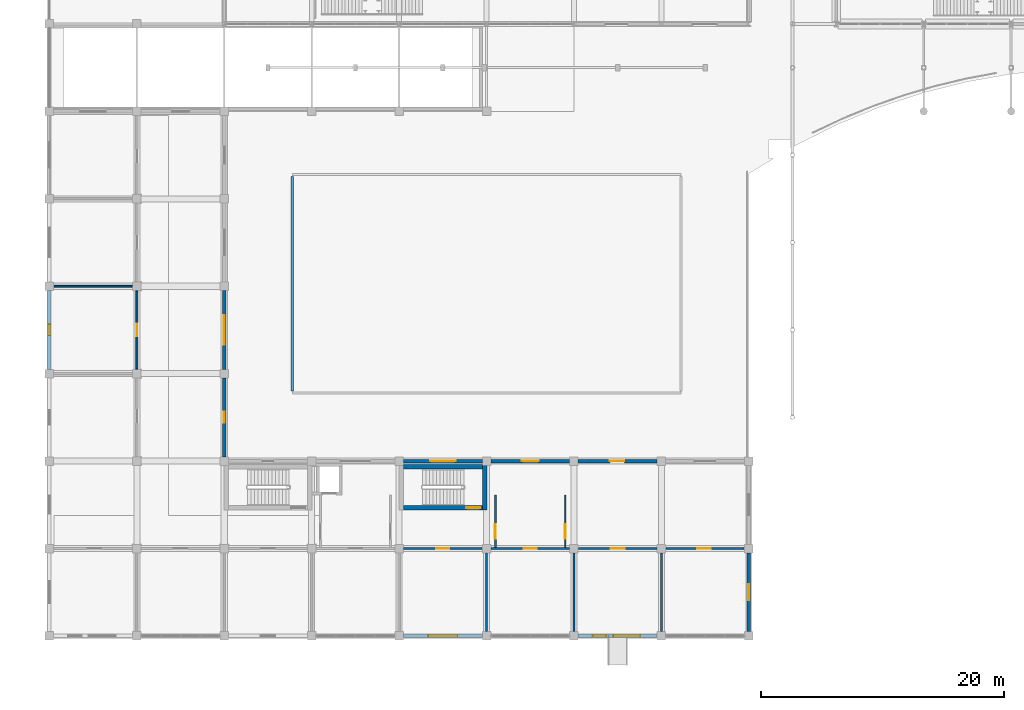
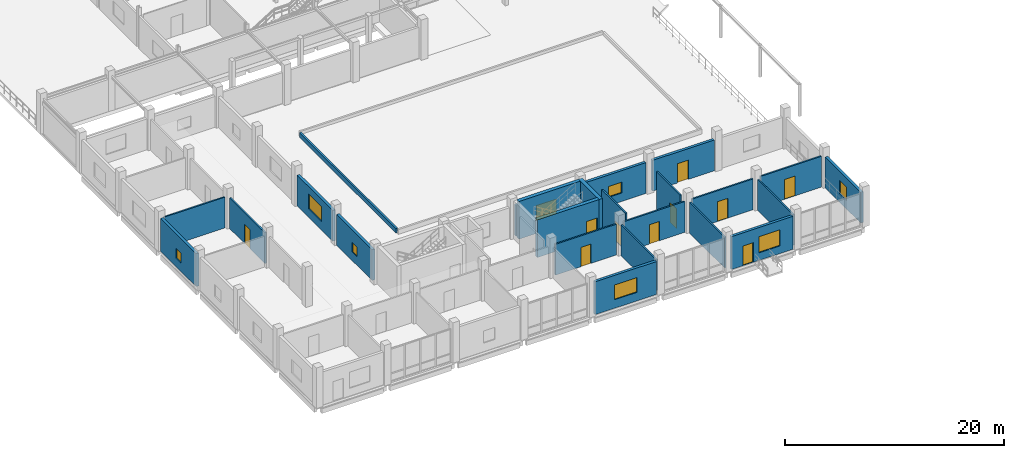
# One storey, part 111 of 139: 24 walls, 10 doors, 8 windows, 18 openings.
"""IFC4 building model written with IfcOpenShell, lengths in metres."""

import ifcopenshell
import ifcopenshell.guid

model = None  # the IFC model being written
_history = None  # IfcOwnerHistory: only IFC2X3 demands one
_inside = {}  # id of a spatial element -> (the spatial element, [elements in it])
_under = {}  # id of a project, library or spatial element -> (it, [spatial elements below it])
_declared = {}  # id of a project -> (the project, [libraries it declares])
_typed = {}  # id of a type object -> (the type object, [elements of that type])
_made_of = {}  # id of a material, layer set ... -> (it, [elements and type objects made of it])


def new_model(schema):
    """Start an empty IFC model of exactly this schema.

    Asked for "IFC4X3", IfcOpenShell would pick the latest addendum, in which some entities
    have other attributes; the version numbers below select the first issue.
    IFC2X3 requires an IfcOwnerHistory on every rooted entity: one is made here for all.
    """
    global model, _history
    if schema == "IFC4X3":
        model = ifcopenshell.file(schema_version=(4, 3, 0, 0))
    else:
        model = ifcopenshell.file(schema=schema)
    _inside.clear()
    _under.clear()
    _declared.clear()
    _typed.clear()
    _made_of.clear()
    _history = None
    if model.schema == "IFC2X3":
        org = make("IfcOrganization", Name="unknown")
        user = make(
            "IfcPersonAndOrganization",
            ThePerson=make("IfcPerson", FamilyName="unknown"),
            TheOrganization=org,
        )
        app = make(
            "IfcApplication",
            ApplicationDeveloper=org,
            Version="unknown",
            ApplicationFullName="unknown",
            ApplicationIdentifier="unknown",
        )
        _history = make(
            "IfcOwnerHistory",
            OwningUser=user,
            OwningApplication=app,
            ChangeAction="ADDED",
            CreationDate=0,
        )
    return model


def make(cls, **values):
    """One entity of the class cls with the attributes given. An attribute that is None is left unset."""
    return model.create_entity(
        cls, **{name: value for name, value in values.items() if value is not None}
    )


def rooted(cls, **values):
    """An entity with a GlobalId (a new one), such as an element, a storey or a relation."""
    return make(cls, GlobalId=ifcopenshell.guid.new(), OwnerHistory=_history, **values)


def si_unit(unit_type, name, prefix=None):
    """IfcSIUnit, for example si_unit("LENGTHUNIT", "METRE", prefix="MILLI")."""
    return make("IfcSIUnit", UnitType=unit_type, Prefix=prefix, Name=name)


def assignment(units):
    """IfcUnitAssignment: the units of a project."""
    return None if units is None else make("IfcUnitAssignment", Units=units)


def point(xyz):
    """IfcCartesianPoint."""
    return None if xyz is None else make("IfcCartesianPoint", Coordinates=xyz)


def direction(xyz):
    """IfcDirection."""
    return None if xyz is None else make("IfcDirection", DirectionRatios=xyz)


def frame(location, z_axis=None, x_axis=None):
    """IfcAxis2Placement3D, a coordinate frame: its origin and axes. An axis left out is left unset."""
    return make(
        "IfcAxis2Placement3D",
        Location=point(location),
        Axis=direction(z_axis),
        RefDirection=direction(x_axis),
    )


def frame_2d(location, x_axis=None):
    """IfcAxis2Placement2D, a coordinate frame in the plane: its origin and x axis."""
    return make(
        "IfcAxis2Placement2D", Location=point(location), RefDirection=direction(x_axis)
    )


def origin():
    """The frame at (0, 0, 0) with its axes left unset."""
    return frame((0.0, 0.0, 0.0))


def place(relative_to, where):
    """IfcLocalPlacement: puts the frame where relative to a parent placement (None: the world)."""
    return make(
        "IfcLocalPlacement", PlacementRelTo=relative_to, RelativePlacement=where
    )


def context(
    kind, dimensions, precision=None, world=None, true_north=None, identifier=None
):
    """IfcGeometricRepresentationContext, for example the 3D "Model" context."""
    return make(
        "IfcGeometricRepresentationContext",
        ContextIdentifier=identifier,
        ContextType=kind,
        CoordinateSpaceDimension=dimensions,
        Precision=precision,
        WorldCoordinateSystem=world,
        TrueNorth=true_north,
    )


def subcontext(parent, identifier, kind, view, scale=None):
    """IfcGeometricRepresentationSubContext, for example "Body" below "Model"."""
    return make(
        "IfcGeometricRepresentationSubContext",
        ContextIdentifier=identifier,
        ContextType=kind,
        ParentContext=parent,
        TargetScale=scale,
        TargetView=view,
    )


def project(units=None, contexts=None):
    """IfcProject with its units and contexts."""
    return rooted(
        "IfcProject",
        Name="project",
        RepresentationContexts=contexts,
        UnitsInContext=assignment(units),
    )


def spatial(cls, under=None, at=None, **own):
    """A site, building, storey or space (cls), placed at a placement, below another one or the project."""
    s = rooted(cls, ObjectPlacement=at, **own)
    if under is not None:
        _under.setdefault(under.id(), (under, []))[1].append(s)
    return s


def profile(cls, at=None, kind="AREA", **sizes):
    """A parametric profile (cls). Its sizes go by their IFC names, for example OverallWidth=200.0."""
    return make(cls, ProfileType=kind, Position=at, **sizes)


def rectangle(**sizes):
    """IfcRectangleProfileDef."""
    return profile("IfcRectangleProfileDef", **sizes)


def extrude(swept, where, along, depth):
    """IfcExtrudedAreaSolid: the profile swept, set in the frame where, extruded along a direction by depth."""
    return make(
        "IfcExtrudedAreaSolid",
        SweptArea=swept,
        Position=where,
        ExtrudedDirection=direction(along),
        Depth=depth,
    )


def shape(context_of_items, identifier, shape_type, items):
    """IfcShapeRepresentation: the items that make up one representation, for example the "Body"."""
    return make(
        "IfcShapeRepresentation",
        ContextOfItems=context_of_items,
        RepresentationIdentifier=identifier,
        RepresentationType=shape_type,
        Items=items,
    )


def material(Name=None, Category=None):
    """IfcMaterial."""
    return make("IfcMaterial", Name=Name, Category=Category)


def layer(
    of_material, thickness, ventilated=None, Name=None, Category=None, Priority=None
):
    """IfcMaterialLayer: one layer of a wall or slab, of a material (None: an air gap)."""
    return make(
        "IfcMaterialLayer",
        Material=of_material,
        LayerThickness=thickness,
        IsVentilated=ventilated,
        Name=Name,
        Category=Category,
        Priority=Priority,
    )


def layer_set(layers, Name=None):
    """IfcMaterialLayerSet."""
    return make("IfcMaterialLayerSet", MaterialLayers=layers, LayerSetName=Name)


def made_of(thing, what):
    """Note that an element or type object is made of a material, layer set ...; save() writes the relation."""
    if what is not None:
        _made_of.setdefault(what.id(), (what, []))[1].append(thing)
    return thing


def type_object(cls, material=None, **own):
    """A type object (cls), such as IfcWallType, which elements share."""
    return made_of(rooted(cls, **own), material)


def element(
    cls,
    number,
    at=None,
    inside=None,
    cuts=None,
    type_object=None,
    material=None,
    context=None,
    identifier="Body",
    shape_type=None,
    held_by="IfcProductDefinitionShape",
    body=None,
    shapes=None,
    **own,
):
    """One element of the class cls, such as IfcWall. Its Tag is "e" and its number.

    at: its placement. inside: the storey or other place that contains it. cuts: it is an
    opening in that element (IfcRelVoidsElement). A single representation is given by context,
    identifier, shape_type and body (its items); several are given by shapes. held_by: the class
    of the entity that holds the representations. save() writes the other relations.
    """
    e = rooted(cls, Tag="e%d" % number, ObjectPlacement=at, **own)
    if body is not None:
        shapes = [shape(context, identifier, shape_type, body)]
    if shapes is not None:
        e.Representation = make(held_by, Representations=shapes)
    if inside is not None:
        _inside.setdefault(inside.id(), (inside, []))[1].append(e)
    if cuts is not None:
        rooted(
            "IfcRelVoidsElement", RelatingBuildingElement=cuts, RelatedOpeningElement=e
        )
    if type_object is not None:
        _typed.setdefault(type_object.id(), (type_object, []))[1].append(e)
    return made_of(e, material)


def fill(opening, filler):
    """IfcRelFillsElement: the door or window that sits in an opening."""
    return rooted(
        "IfcRelFillsElement",
        RelatingOpeningElement=opening,
        RelatedBuildingElement=filler,
    )


def aggregate(whole, parts):
    """IfcRelAggregates: a whole, such as a stair, and the parts it consists of."""
    return rooted("IfcRelAggregates", RelatingObject=whole, RelatedObjects=parts)


def save(model, path):
    """Write the relations noted so far, then the file.

    IfcRelAggregates (storeys below a building ...), IfcRelContainedInSpatialStructure (elements
    in a storey), IfcRelDefinesByType, IfcRelAssociatesMaterial and IfcRelDeclares: one each for
    every whole, place, type object, material and project.
    """
    for whole, parts in _under.values():
        aggregate(whole, parts)
    for where, things in _inside.values():
        rooted(
            "IfcRelContainedInSpatialStructure",
            RelatedElements=things,
            RelatingStructure=where,
        )
    for kind, things in _typed.values():
        rooted("IfcRelDefinesByType", RelatedObjects=things, RelatingType=kind)
    for what, things in _made_of.values():
        rooted("IfcRelAssociatesMaterial", RelatedObjects=things, RelatingMaterial=what)
    for by, libraries in _declared.values():
        rooted("IfcRelDeclares", RelatingContext=by, RelatedDefinitions=libraries)
    model.write(path)


model = new_model("IFC4")

# Units and contexts
model_context = context("Model", 3, precision=1e-05, world=origin(), true_north=direction((0.0, 1.0)))
body_context = subcontext(model_context, "Body", "Model", "MODEL_VIEW")
ifc_project = project(units=[si_unit("LENGTHUNIT", "METRE"), si_unit("AREAUNIT", "SQUARE_METRE"), si_unit("VOLUMEUNIT", "CUBIC_METRE"), si_unit("PLANEANGLEUNIT", "RADIAN"), si_unit("MASSUNIT", "GRAM", prefix="KILO")], contexts=[model_context])

# Site, building, storey
site_placement = place(None, origin())
site = spatial("IfcSite", under=ifc_project, at=site_placement, CompositionType="ELEMENT")
building_placement = place(site_placement, origin())
building = spatial("IfcBuilding", under=site, at=building_placement, Name="Suanplinth Sawtooth Commons", CompositionType="ELEMENT")
storey_placement = place(building_placement, origin())
storey = spatial("IfcBuildingStorey", under=building, at=storey_placement, Name="L00", CompositionType="ELEMENT", Elevation=0.0)

# Wall, opening, door
ifc_material_1 = material(Name="Concrete C40/50", Category="concrete")
ifc_layer_1 = layer(ifc_material_1, 0.3798828125, Name="Lower high-rise RC core shear wall 380mm")
ifc_layer_set_1 = layer_set([ifc_layer_1], Name="Concrete C40/50")
wall_type_1 = type_object("IfcWallType", Name="W-CR01", PredefinedType="SHEAR", material=ifc_layer_set_1)
wall_1_placement = place(storey_placement, frame((29.14990234375, 10.56005859375, 0.0), z_axis=(0.0, 0.0, 1.0), x_axis=(1.0, 0.0, 0.0)))
wall_1 = element("IfcWall", 1, at=wall_1_placement, inside=storey, type_object=wall_type_1, Name="W-L00-C-D2-STS", PredefinedType="SHEAR", context=body_context, shape_type="SweptSolid", body=[
    extrude(rectangle(XDim=6.5, YDim=0.3798828125, at=frame_2d((3.25, 0.0))), origin(), (0.0, 0.0, 1.0), 4.199951171875),
])
opening_1_placement = place(wall_1_placement, frame((5.169921875, 0.0, 0.0)))
opening_1 = element("IfcOpeningElement", 2, at=opening_1_placement, cuts=wall_1, Name="Opening FD0400", PredefinedType="OPENING", context=body_context, shape_type="SweptSolid", body=[
    extrude(rectangle(XDim=1.14990234375, YDim=2.199951171875, at=frame_2d((0.574951171875, 1.10009765625))), frame((0.0, 0.204833984375, 0.0), z_axis=(0.0, -1.0, 0.0), x_axis=(1.0, 0.0, 0.0)), (0.0, 0.0, 1.0), 0.40966796875),
])
ifc_material_2 = material(Name="Teak hardwood fire-rated door assembly", Category="wood")
door_type_1 = type_object("IfcDoorType", Name="FD-01", OperationType="NOTDEFINED", PredefinedType="DOOR", material=ifc_material_2)
door_1_placement = place(opening_1_placement, frame((1.14990234375, 0.0, 0.0), z_axis=(0.0, 0.0, 1.0), x_axis=(-1.0, 0.0, 0.0)))
door_1 = element("IfcDoor", 3, at=door_1_placement, inside=storey, type_object=door_type_1, Name="Exit Stair Fire Door FD0400", OperationType="SINGLE_SWING_LEFT", OverallHeight=2.199951171875, OverallWidth=1.14990234375, PredefinedType="DOOR", context=body_context, shape_type="SweptSolid", body=[
    extrude(rectangle(XDim=1.14990234375, YDim=2.199951171875, at=frame_2d((0.574951171875, 1.10009765625))), frame((0.0, 0.02490234375, 0.0), z_axis=(0.0, -1.0, 0.0), x_axis=(1.0, 0.0, 0.0)), (0.0, 0.0, 1.0), 0.050048828125),
])
fill(opening_1, door_1)

# Walls
wall_2_placement = place(storey_placement, frame((29.14990234375, 13.93994140625, 0.0), z_axis=(0.0, 0.0, 1.0), x_axis=(1.0, 0.0, 0.0)))
element("IfcWall", 4, at=wall_2_placement, inside=storey, type_object=wall_type_1, Name="W-L00-C-D2-STN", PredefinedType="SHEAR", context=body_context, shape_type="SweptSolid", body=[
    extrude(rectangle(XDim=6.5, YDim=0.3798828125, at=frame_2d((3.25, 0.0))), origin(), (0.0, 0.0, 1.0), 4.199951171875),
])
wall_3_placement = place(storey_placement, frame((35.840087890625, 10.3701171875, 0.0), z_axis=(0.0, 0.0, 1.0), x_axis=(0.0, 1.0, 0.0)))
element("IfcWall", 5, at=wall_3_placement, inside=storey, type_object=wall_type_1, Name="W-L00-C-D2-STE", PredefinedType="SHEAR", context=body_context, shape_type="SweptSolid", body=[
    extrude(rectangle(XDim=3.759765625, YDim=0.3798828125, at=frame_2d((1.8798828125, 0.0))), origin(), (0.0, 0.0, 1.0), 4.199951171875),
])

# Wall, opening, window
ifc_material_3 = material(Name="Precast concrete C40/50", Category="concrete")
ifc_layer_2 = layer(ifc_material_3, 0.280029296875, Name="Insulated precast architectural facade wall 280mm")
ifc_layer_set_2 = layer_set([ifc_layer_2], Name="Precast concrete C40/50")
wall_type_2 = type_object("IfcWallType", Name="W-EX01", PredefinedType="ELEMENTEDWALL", material=ifc_layer_set_2)
wall_4_placement = place(storey_placement, frame((0.0, 21.949951171875, 0.0), z_axis=(0.0, 0.0, 1.0), x_axis=(0.0, 1.0, 0.0)))
wall_4 = element("IfcWall", 6, at=wall_4_placement, inside=storey, type_object=wall_type_2, Name="Facade Wall W-L00-D-W-0-3", PredefinedType="ELEMENTEDWALL", context=body_context, shape_type="SweptSolid", body=[
    extrude(rectangle(XDim=6.5, YDim=0.280029296875, at=frame_2d((3.25, 0.0))), origin(), (0.0, 0.0, 1.0), 3.6650390625),
])
opening_2_placement = place(wall_4_placement, frame((2.800048828125, 0.0, 0.949951171875)))
opening_2 = element("IfcOpeningElement", 7, at=opening_2_placement, cuts=wall_4, Name="Opening W0149", PredefinedType="OPENING", context=body_context, shape_type="SweptSolid", body=[
    extrude(rectangle(XDim=0.89990234375, YDim=1.10009765625, at=frame_2d((0.449951171875, 0.550048828125))), frame((0.0, 0.15478515625, 0.0), z_axis=(0.0, -1.0, 0.0), x_axis=(1.0, 0.0, 0.0)), (0.0, 0.0, 1.0), 0.309814453125),
])
ifc_material_4 = material(Name="Thermally broken aluminium and low-E double glazing", Category="aluminium")
window_type_1 = type_object("IfcWindowType", Name="WN-04", PartitioningType="SINGLE_PANEL", PredefinedType="WINDOW", material=ifc_material_4)
window_1_placement = place(opening_2_placement, origin())
window_1 = element("IfcWindow", 8, at=window_1_placement, inside=storey, type_object=window_type_1, Name="Window L00-D-W-0-3", OverallHeight=1.10009765625, OverallWidth=0.89990234375, PartitioningType="SINGLE_PANEL", PredefinedType="WINDOW", context=body_context, shape_type="SweptSolid", body=[
    extrude(rectangle(XDim=0.89990234375, YDim=1.10009765625, at=frame_2d((0.449951171875, 0.550048828125))), frame((0.0, 0.030029296875, 0.0), z_axis=(0.0, -1.0, 0.0), x_axis=(1.0, 0.0, 0.0)), (0.0, 0.0, 1.0), 0.06005859375),
])
fill(opening_2, window_1)

wall_5_placement = place(storey_placement, frame((14.39990234375, 14.75, 0.0), z_axis=(0.0, 0.0, 1.0), x_axis=(0.0, 1.0, 0.0)))
wall_5 = element("IfcWall", 9, at=wall_5_placement, inside=storey, type_object=wall_type_2, Name="Facade Wall W-L00-D-E-1-2", PredefinedType="ELEMENTEDWALL", context=body_context, shape_type="SweptSolid", body=[
    extrude(rectangle(XDim=6.5, YDim=0.280029296875, at=frame_2d((3.25, 0.0))), origin(), (0.0, 0.0, 1.0), 3.43505859375),
])
opening_3_placement = place(wall_5_placement, frame((2.800048828125, 0.0, 0.949951171875)))
opening_3 = element("IfcOpeningElement", 10, at=opening_3_placement, cuts=wall_5, Name="Opening W0153", PredefinedType="OPENING", context=body_context, shape_type="SweptSolid", body=[
    extrude(rectangle(XDim=0.89990234375, YDim=1.10009765625, at=frame_2d((0.449951171875, 0.550048828125))), frame((0.0, 0.15478515625, 0.0), z_axis=(0.0, -1.0, 0.0), x_axis=(1.0, 0.0, 0.0)), (0.0, 0.0, 1.0), 0.309814453125),
])
window_2_placement = place(opening_3_placement, origin())
window_2 = element("IfcWindow", 11, at=window_2_placement, inside=storey, type_object=window_type_1, Name="Window L00-D-E-1-2", OverallHeight=1.10009765625, OverallWidth=0.89990234375, PartitioningType="SINGLE_PANEL", PredefinedType="WINDOW", context=body_context, shape_type="SweptSolid", body=[
    extrude(rectangle(XDim=0.89990234375, YDim=1.10009765625, at=frame_2d((0.449951171875, 0.550048828125))), frame((0.0, 0.030029296875, 0.0), z_axis=(0.0, -1.0, 0.0), x_axis=(1.0, 0.0, 0.0)), (0.0, 0.0, 1.0), 0.06005859375),
])
fill(opening_3, window_2)

wall_6_placement = place(storey_placement, frame((14.39990234375, 21.949951171875, 0.0), z_axis=(0.0, 0.0, 1.0), x_axis=(0.0, 1.0, 0.0)))
wall_6 = element("IfcWall", 12, at=wall_6_placement, inside=storey, type_object=wall_type_2, Name="Facade Wall W-L00-D-E-1-3", PredefinedType="ELEMENTEDWALL", context=body_context, shape_type="SweptSolid", body=[
    extrude(rectangle(XDim=6.5, YDim=0.280029296875, at=frame_2d((3.25, 0.0))), origin(), (0.0, 0.0, 1.0), 3.43505859375),
])
opening_4_placement = place(wall_6_placement, frame((2.050048828125, 0.0, 0.949951171875)))
opening_4 = element("IfcOpeningElement", 13, at=opening_4_placement, cuts=wall_6, Name="Opening W0154", PredefinedType="OPENING", context=body_context, shape_type="SweptSolid", body=[
    extrude(rectangle(XDim=2.39990234375, YDim=1.64990234375, at=frame_2d((1.199951171875, 0.824951171875))), frame((0.0, 0.15478515625, 0.0), z_axis=(0.0, -1.0, 0.0), x_axis=(1.0, 0.0, 0.0)), (0.0, 0.0, 1.0), 0.309814453125),
])
window_type_2 = type_object("IfcWindowType", Name="WN-05", PartitioningType="TRIPLE_PANEL_VERTICAL", PredefinedType="WINDOW", material=ifc_material_4)
window_3_placement = place(opening_4_placement, origin())
window_3 = element("IfcWindow", 14, at=window_3_placement, inside=storey, type_object=window_type_2, Name="Window L00-D-E-1-3", OverallHeight=1.64990234375, OverallWidth=2.39990234375, PartitioningType="TRIPLE_PANEL_VERTICAL", PredefinedType="WINDOW", context=body_context, shape_type="SweptSolid", body=[
    extrude(rectangle(XDim=2.39990234375, YDim=1.64990234375, at=frame_2d((1.199951171875, 0.824951171875))), frame((0.0, 0.030029296875, 0.0), z_axis=(0.0, -1.0, 0.0), x_axis=(1.0, 0.0, 0.0)), (0.0, 0.0, 1.0), 0.06005859375),
])
fill(opening_4, window_3)

wall_7_placement = place(storey_placement, frame((29.14990234375, 0.0, 0.0), z_axis=(0.0, 0.0, 1.0), x_axis=(1.0, 0.0, 0.0)))
wall_7 = element("IfcWall", 15, at=wall_7_placement, inside=storey, type_object=wall_type_2, Name="Facade Wall W-L00-D-S-4-0", PredefinedType="ELEMENTEDWALL", context=body_context, shape_type="SweptSolid", body=[
    extrude(rectangle(XDim=6.5, YDim=0.280029296875, at=frame_2d((3.25, 0.0))), origin(), (0.0, 0.0, 1.0), 3.6650390625),
])
opening_5_placement = place(wall_7_placement, frame((2.050048828125, 0.0, 0.949951171875)))
opening_5 = element("IfcOpeningElement", 16, at=opening_5_placement, cuts=wall_7, Name="Opening W0161", PredefinedType="OPENING", context=body_context, shape_type="SweptSolid", body=[
    extrude(rectangle(XDim=2.39990234375, YDim=1.64990234375, at=frame_2d((1.199951171875, 0.824951171875))), frame((0.0, 0.15478515625, 0.0), z_axis=(0.0, -1.0, 0.0), x_axis=(1.0, 0.0, 0.0)), (0.0, 0.0, 1.0), 0.309814453125),
])
window_4_placement = place(opening_5_placement, origin())
window_4 = element("IfcWindow", 17, at=window_4_placement, inside=storey, type_object=window_type_2, Name="Window L00-D-S-4-0", OverallHeight=1.64990234375, OverallWidth=2.39990234375, PartitioningType="TRIPLE_PANEL_VERTICAL", PredefinedType="WINDOW", context=body_context, shape_type="SweptSolid", body=[
    extrude(rectangle(XDim=2.39990234375, YDim=1.64990234375, at=frame_2d((1.199951171875, 0.824951171875))), frame((0.0, 0.030029296875, 0.0), z_axis=(0.0, -1.0, 0.0), x_axis=(1.0, 0.0, 0.0)), (0.0, 0.0, 1.0), 0.06005859375),
])
fill(opening_5, window_4)

wall_8_placement = place(storey_placement, frame((29.14990234375, 14.39990234375, 0.0), z_axis=(0.0, 0.0, 1.0), x_axis=(1.0, 0.0, 0.0)))
wall_8 = element("IfcWall", 18, at=wall_8_placement, inside=storey, type_object=wall_type_2, Name="Facade Wall W-L00-D-N-4-1", PredefinedType="ELEMENTEDWALL", context=body_context, shape_type="SweptSolid", body=[
    extrude(rectangle(XDim=6.5, YDim=0.280029296875, at=frame_2d((3.25, 0.0))), origin(), (0.0, 0.0, 1.0), 3.43505859375),
])
opening_6_placement = place(wall_8_placement, frame((2.199951171875, 0.0, 0.949951171875)))
opening_6 = element("IfcOpeningElement", 19, at=opening_6_placement, cuts=wall_8, Name="Opening W0162", PredefinedType="OPENING", context=body_context, shape_type="SweptSolid", body=[
    extrude(rectangle(XDim=2.10009765625, YDim=1.64990234375, at=frame_2d((1.050048828125, 0.824951171875))), frame((0.0, 0.15478515625, 0.0), z_axis=(0.0, -1.0, 0.0), x_axis=(1.0, 0.0, 0.0)), (0.0, 0.0, 1.0), 0.309814453125),
])
window_type_3 = type_object("IfcWindowType", Name="WN-06", PartitioningType="DOUBLE_PANEL_VERTICAL", PredefinedType="WINDOW", material=ifc_material_4)
window_5_placement = place(opening_6_placement, origin())
window_5 = element("IfcWindow", 20, at=window_5_placement, inside=storey, type_object=window_type_3, Name="Window L00-D-N-4-1", OverallHeight=1.64990234375, OverallWidth=2.10009765625, PartitioningType="DOUBLE_PANEL_VERTICAL", PredefinedType="WINDOW", context=body_context, shape_type="SweptSolid", body=[
    extrude(rectangle(XDim=2.10009765625, YDim=1.64990234375, at=frame_2d((1.050048828125, 0.824951171875))), frame((0.0, 0.030029296875, 0.0), z_axis=(0.0, -1.0, 0.0), x_axis=(1.0, 0.0, 0.0)), (0.0, 0.0, 1.0), 0.06005859375),
])
fill(opening_6, window_5)

wall_9_placement = place(storey_placement, frame((36.35009765625, 14.39990234375, 0.0), z_axis=(0.0, 0.0, 1.0), x_axis=(1.0, 0.0, 0.0)))
wall_9 = element("IfcWall", 21, at=wall_9_placement, inside=storey, type_object=wall_type_2, Name="Facade Wall W-L00-D-N-5-1", PredefinedType="ELEMENTEDWALL", context=body_context, shape_type="SweptSolid", body=[
    extrude(rectangle(XDim=6.5, YDim=0.280029296875, at=frame_2d((3.25, 0.0))), origin(), (0.0, 0.0, 1.0), 3.43505859375),
])
opening_7_placement = place(wall_9_placement, frame((2.550048828125, 0.0, 0.949951171875)))
opening_7 = element("IfcOpeningElement", 22, at=opening_7_placement, cuts=wall_9, Name="Opening W0163", PredefinedType="OPENING", context=body_context, shape_type="SweptSolid", body=[
    extrude(rectangle(XDim=1.39990234375, YDim=1.199951171875, at=frame_2d((0.699951171875, 0.60009765625))), frame((0.0, 0.15478515625, 0.0), z_axis=(0.0, -1.0, 0.0), x_axis=(1.0, 0.0, 0.0)), (0.0, 0.0, 1.0), 0.309814453125),
])
window_type_4 = type_object("IfcWindowType", Name="WN-10", PartitioningType="DOUBLE_PANEL_HORIZONTAL", PredefinedType="WINDOW", material=ifc_material_4)
window_6_placement = place(opening_7_placement, origin())
window_6 = element("IfcWindow", 23, at=window_6_placement, inside=storey, type_object=window_type_4, Name="Window L00-D-N-5-1", OverallHeight=1.199951171875, OverallWidth=1.39990234375, PartitioningType="DOUBLE_PANEL_HORIZONTAL", PredefinedType="WINDOW", context=body_context, shape_type="SweptSolid", body=[
    extrude(rectangle(XDim=1.39990234375, YDim=1.199951171875, at=frame_2d((0.699951171875, 0.60009765625))), frame((0.0, 0.030029296875, 0.0), z_axis=(0.0, -1.0, 0.0), x_axis=(1.0, 0.0, 0.0)), (0.0, 0.0, 1.0), 0.06005859375),
])
fill(opening_7, window_6)

# Wall, openings, door, window
wall_10_placement = place(storey_placement, frame((43.550048828125, 0.0, 0.0), z_axis=(0.0, 0.0, 1.0), x_axis=(1.0, 0.0, 0.0)))
wall_10 = element("IfcWall", 24, at=wall_10_placement, inside=storey, type_object=wall_type_2, Name="Facade Wall W-L00-D-S-6-0", PredefinedType="ELEMENTEDWALL", context=body_context, shape_type="SweptSolid", body=[
    extrude(rectangle(XDim=6.5, YDim=0.280029296875, at=frame_2d((3.25, 0.0))), origin(), (0.0, 0.0, 1.0), 3.6650390625),
])
opening_8_placement = place(wall_10_placement, frame((1.199951171875, 0.0, 0.0)))
opening_8 = element("IfcOpeningElement", 25, at=opening_8_placement, cuts=wall_10, Name="Opening ED0037", PredefinedType="OPENING", context=body_context, shape_type="SweptSolid", body=[
    extrude(rectangle(XDim=1.10009765625, YDim=2.199951171875, at=frame_2d((0.550048828125, 1.10009765625))), frame((0.0, 0.15478515625, 0.0), z_axis=(0.0, -1.0, 0.0), x_axis=(1.0, 0.0, 0.0)), (0.0, 0.0, 1.0), 0.309814453125),
])
opening_9_placement = place(wall_10_placement, frame((2.89990234375, 0.0, 0.85009765625)))
opening_9 = element("IfcOpeningElement", 26, at=opening_9_placement, cuts=wall_10, Name="Opening W0164", PredefinedType="OPENING", context=body_context, shape_type="SweptSolid", body=[
    extrude(rectangle(XDim=2.199951171875, YDim=1.800048828125, at=frame_2d((1.10009765625, 0.89990234375))), frame((0.0, 0.15478515625, 0.0), z_axis=(0.0, -1.0, 0.0), x_axis=(1.0, 0.0, 0.0)), (0.0, 0.0, 1.0), 0.309814453125),
])
ifc_material_5 = material(Name="Anodized aluminium and clear glass", Category="aluminium")
door_type_2 = type_object("IfcDoorType", Name="ED-06", OperationType="NOTDEFINED", PredefinedType="DOOR", material=ifc_material_5)
door_2_placement = place(opening_8_placement, frame((1.10009765625, 0.0, 0.0), z_axis=(0.0, 0.0, 1.0), x_axis=(-1.0, 0.0, 0.0)))
door_2 = element("IfcDoor", 27, at=door_2_placement, inside=storey, type_object=door_type_2, Name="Ground Shop Entrance D-6", OperationType="SINGLE_SWING_LEFT", OverallHeight=2.199951171875, OverallWidth=1.10009765625, PredefinedType="DOOR", context=body_context, shape_type="SweptSolid", body=[
    extrude(rectangle(XDim=1.10009765625, YDim=2.199951171875, at=frame_2d((0.550048828125, 1.10009765625))), frame((0.0, 0.02490234375, 0.0), z_axis=(0.0, -1.0, 0.0), x_axis=(1.0, 0.0, 0.0)), (0.0, 0.0, 1.0), 0.050048828125),
])
fill(opening_8, door_2)
window_type_5 = type_object("IfcWindowType", Name="WN-11", PartitioningType="TRIPLE_PANEL_VERTICAL", PredefinedType="WINDOW", material=ifc_material_4)
window_7_placement = place(opening_9_placement, origin())
window_7 = element("IfcWindow", 28, at=window_7_placement, inside=storey, type_object=window_type_5, Name="Shopfront Window D-6", OverallHeight=1.800048828125, OverallWidth=2.199951171875, PartitioningType="TRIPLE_PANEL_VERTICAL", PredefinedType="WINDOW", context=body_context, shape_type="SweptSolid", body=[
    extrude(rectangle(XDim=2.199951171875, YDim=1.800048828125, at=frame_2d((1.10009765625, 0.89990234375))), frame((0.0, 0.030029296875, 0.0), z_axis=(0.0, -1.0, 0.0), x_axis=(1.0, 0.0, 0.0)), (0.0, 0.0, 1.0), 0.06005859375),
])
fill(opening_9, window_7)

# Wall, opening, door
wall_11_placement = place(storey_placement, frame((43.550048828125, 14.39990234375, 0.0), z_axis=(0.0, 0.0, 1.0), x_axis=(1.0, 0.0, 0.0)))
wall_11 = element("IfcWall", 29, at=wall_11_placement, inside=storey, type_object=wall_type_2, Name="Facade Wall W-L00-D-N-6-1", PredefinedType="ELEMENTEDWALL", context=body_context, shape_type="SweptSolid", body=[
    extrude(rectangle(XDim=6.5, YDim=0.280029296875, at=frame_2d((3.25, 0.0))), origin(), (0.0, 0.0, 1.0), 3.43505859375),
])
opening_10_placement = place(wall_11_placement, frame((2.60009765625, 0.0, 0.0)))
opening_10 = element("IfcOpeningElement", 30, at=opening_10_placement, cuts=wall_11, Name="Opening ED0038", PredefinedType="OPENING", context=body_context, shape_type="SweptSolid", body=[
    extrude(rectangle(XDim=1.199951171875, YDim=2.14990234375, at=frame_2d((0.60009765625, 1.074951171875))), frame((0.0, 0.15478515625, 0.0), z_axis=(0.0, -1.0, 0.0), x_axis=(1.0, 0.0, 0.0)), (0.0, 0.0, 1.0), 0.309814453125),
])
ifc_material_6 = material(Name="Galvanized painted steel", Category="steel")
door_type_3 = type_object("IfcDoorType", Name="ED-07", OperationType="NOTDEFINED", PredefinedType="DOOR", material=ifc_material_6)
door_3_placement = place(opening_10_placement, frame((1.199951171875, 0.0, 0.0), z_axis=(0.0, 0.0, 1.0), x_axis=(-1.0, 0.0, 0.0)))
door_3 = element("IfcDoor", 31, at=door_3_placement, inside=storey, type_object=door_type_3, Name="Stair Final Discharge 2 D", OperationType="SINGLE_SWING_LEFT", OverallHeight=2.14990234375, OverallWidth=1.199951171875, PredefinedType="DOOR", context=body_context, shape_type="SweptSolid", body=[
    extrude(rectangle(XDim=1.199951171875, YDim=2.14990234375, at=frame_2d((0.60009765625, 1.074951171875))), frame((0.0, 0.02490234375, 0.0), z_axis=(0.0, -1.0, 0.0), x_axis=(1.0, 0.0, 0.0)), (0.0, 0.0, 1.0), 0.050048828125),
])
fill(opening_10, door_3)

# Wall, opening, window
wall_12_placement = place(storey_placement, frame((57.60009765625, 0.35009765625, 0.0), z_axis=(0.0, 0.0, 1.0), x_axis=(0.0, 1.0, 0.0)))
wall_12 = element("IfcWall", 32, at=wall_12_placement, inside=storey, type_object=wall_type_2, Name="Facade Wall W-L00-D-E-7-0", PredefinedType="ELEMENTEDWALL", context=body_context, shape_type="SweptSolid", body=[
    extrude(rectangle(XDim=6.5, YDim=0.280029296875, at=frame_2d((3.25, 0.0))), origin(), (0.0, 0.0, 1.0), 3.43505859375),
])
opening_11_placement = place(wall_12_placement, frame((2.574951171875, 0.0, 0.949951171875)))
opening_11 = element("IfcOpeningElement", 33, at=opening_11_placement, cuts=wall_12, Name="Opening W0165", PredefinedType="OPENING", context=body_context, shape_type="SweptSolid", body=[
    extrude(rectangle(XDim=1.35009765625, YDim=1.5, at=frame_2d((0.675048828125, 0.75))), frame((0.0, 0.15478515625, 0.0), z_axis=(0.0, -1.0, 0.0), x_axis=(1.0, 0.0, 0.0)), (0.0, 0.0, 1.0), 0.309814453125),
])
window_type_6 = type_object("IfcWindowType", Name="WN-14", PartitioningType="SINGLE_PANEL", PredefinedType="WINDOW", material=ifc_material_4)
window_8_placement = place(opening_11_placement, origin())
window_8 = element("IfcWindow", 34, at=window_8_placement, inside=storey, type_object=window_type_6, Name="Window L00-D-E-7-0", OverallHeight=1.5, OverallWidth=1.35009765625, PartitioningType="SINGLE_PANEL", PredefinedType="WINDOW", context=body_context, shape_type="SweptSolid", body=[
    extrude(rectangle(XDim=1.35009765625, YDim=1.5, at=frame_2d((0.675048828125, 0.75))), frame((0.0, 0.030029296875, 0.0), z_axis=(0.0, -1.0, 0.0), x_axis=(1.0, 0.0, 0.0)), (0.0, 0.0, 1.0), 0.06005859375),
])
fill(opening_11, window_8)

# Wall, opening, door
ifc_layer_3 = layer(ifc_material_3, 0.159912109375, Name="Fire-rated corridor and lobby wall 160mm")
ifc_layer_set_3 = layer_set([ifc_layer_3], Name="Precast concrete C40/50")
wall_type_3 = type_object("IfcWallType", Name="W-FW01", PredefinedType="PARTITIONING", material=ifc_layer_set_3)
wall_13_placement = place(storey_placement, frame((36.719970703125, 7.280029296875, 0.0), z_axis=(0.0, 0.0, 1.0), x_axis=(0.0, 1.0, 0.0)))
wall_13 = element("IfcWall", 35, at=wall_13_placement, inside=storey, type_object=wall_type_3, Name="W-L00-C-D2-LOB-W", PredefinedType="PARTITIONING", context=body_context, shape_type="SweptSolid", body=[
    extrude(rectangle(XDim=4.320068359375, YDim=0.159912109375, at=frame_2d((2.16015625, 0.0))), origin(), (0.0, 0.0, 1.0), 4.199951171875),
])
opening_12_placement = place(wall_13_placement, frame((0.719970703125, 0.0, 0.0)))
opening_12 = element("IfcOpeningElement", 36, at=opening_12_placement, cuts=wall_13, Name="Opening FD0401", PredefinedType="OPENING", context=body_context, shape_type="SweptSolid", body=[
    extrude(rectangle(XDim=1.199951171875, YDim=2.199951171875, at=frame_2d((0.60009765625, 1.10009765625))), frame((0.0, 0.0947265625, 0.0), z_axis=(0.0, -1.0, 0.0), x_axis=(1.0, 0.0, 0.0)), (0.0, 0.0, 1.0), 0.189697265625),
])
door_type_4 = type_object("IfcDoorType", Name="FD-02", OperationType="NOTDEFINED", PredefinedType="DOOR", material=ifc_material_2)
door_4_placement = place(opening_12_placement, origin())
door_4 = element("IfcDoor", 37, at=door_4_placement, inside=storey, type_object=door_type_4, Name="Lobby Fire Door FD0401", OperationType="SINGLE_SWING_RIGHT", OverallHeight=2.199951171875, OverallWidth=1.199951171875, PredefinedType="DOOR", context=body_context, shape_type="SweptSolid", body=[
    extrude(rectangle(XDim=1.199951171875, YDim=2.199951171875, at=frame_2d((0.60009765625, 1.10009765625))), frame((0.0, 0.02490234375, 0.0), z_axis=(0.0, -1.0, 0.0), x_axis=(1.0, 0.0, 0.0)), (0.0, 0.0, 1.0), 0.050048828125),
])
fill(opening_12, door_4)

wall_14_placement = place(storey_placement, frame((42.47998046875, 7.280029296875, 0.0), z_axis=(0.0, 0.0, 1.0), x_axis=(0.0, 1.0, 0.0)))
wall_14 = element("IfcWall", 38, at=wall_14_placement, inside=storey, type_object=wall_type_3, Name="W-L00-C-D2-LOB-E", PredefinedType="PARTITIONING", context=body_context, shape_type="SweptSolid", body=[
    extrude(rectangle(XDim=4.320068359375, YDim=0.159912109375, at=frame_2d((2.16015625, 0.0))), origin(), (0.0, 0.0, 1.0), 4.199951171875),
])
opening_13_placement = place(wall_14_placement, frame((0.719970703125, 0.0, 0.0)))
opening_13 = element("IfcOpeningElement", 39, at=opening_13_placement, cuts=wall_14, Name="Opening FD0402", PredefinedType="OPENING", context=body_context, shape_type="SweptSolid", body=[
    extrude(rectangle(XDim=1.199951171875, YDim=2.199951171875, at=frame_2d((0.60009765625, 1.10009765625))), frame((0.0, 0.0947265625, 0.0), z_axis=(0.0, -1.0, 0.0), x_axis=(1.0, 0.0, 0.0)), (0.0, 0.0, 1.0), 0.189697265625),
])
door_5_placement = place(opening_13_placement, frame((1.199951171875, 0.0, 0.0), z_axis=(0.0, 0.0, 1.0), x_axis=(-1.0, 0.0, 0.0)))
door_5 = element("IfcDoor", 40, at=door_5_placement, inside=storey, type_object=door_type_4, Name="Lobby Fire Door FD0402", OperationType="SINGLE_SWING_LEFT", OverallHeight=2.199951171875, OverallWidth=1.199951171875, PredefinedType="DOOR", context=body_context, shape_type="SweptSolid", body=[
    extrude(rectangle(XDim=1.199951171875, YDim=2.199951171875, at=frame_2d((0.60009765625, 1.10009765625))), frame((0.0, 0.02490234375, 0.0), z_axis=(0.0, -1.0, 0.0), x_axis=(1.0, 0.0, 0.0)), (0.0, 0.0, 1.0), 0.050048828125),
])
fill(opening_13, door_5)

wall_15_placement = place(storey_placement, frame((29.179931640625, 7.199951171875, 0.0), z_axis=(0.0, 0.0, 1.0), x_axis=(1.0, 0.0, 0.0)))
wall_15 = element("IfcWall", 41, at=wall_15_placement, inside=storey, type_object=wall_type_3, Name="W-D-L00-GROUNDROOM-46-COR", PredefinedType="PARTITIONING", context=body_context, shape_type="SweptSolid", body=[
    extrude(rectangle(XDim=6.440185546875, YDim=0.159912109375, at=frame_2d((3.22021484375, 0.0))), origin(), (0.0, 0.0, 1.0), 3.43505859375),
])
opening_14_placement = place(wall_15_placement, frame((2.695068359375, 0.0, 0.0)))
opening_14 = element("IfcOpeningElement", 42, at=opening_14_placement, cuts=wall_15, Name="Opening FD0516", PredefinedType="OPENING", context=body_context, shape_type="SweptSolid", body=[
    extrude(rectangle(XDim=1.050048828125, YDim=2.14990234375, at=frame_2d((0.52490234375, 1.074951171875))), frame((0.0, 0.0947265625, 0.0), z_axis=(0.0, -1.0, 0.0), x_axis=(1.0, 0.0, 0.0)), (0.0, 0.0, 1.0), 0.189697265625),
])
door_type_5 = type_object("IfcDoorType", Name="FD-04", OperationType="NOTDEFINED", PredefinedType="DOOR", material=ifc_material_2)
door_6_placement = place(opening_14_placement, frame((1.050048828125, 0.0, 0.0), z_axis=(0.0, 0.0, 1.0), x_axis=(-1.0, 0.0, 0.0)))
door_6 = element("IfcDoor", 43, at=door_6_placement, inside=storey, type_object=door_type_5, Name="Unit Entrance Door FD0516", OperationType="SINGLE_SWING_RIGHT", OverallHeight=2.14990234375, OverallWidth=1.050048828125, PredefinedType="DOOR", context=body_context, shape_type="SweptSolid", body=[
    extrude(rectangle(XDim=1.050048828125, YDim=2.14990234375, at=frame_2d((0.52490234375, 1.074951171875))), frame((0.0, 0.02490234375, 0.0), z_axis=(0.0, -1.0, 0.0), x_axis=(1.0, 0.0, 0.0)), (0.0, 0.0, 1.0), 0.050048828125),
])
fill(opening_14, door_6)

wall_16_placement = place(storey_placement, frame((36.3798828125, 7.199951171875, 0.0), z_axis=(0.0, 0.0, 1.0), x_axis=(1.0, 0.0, 0.0)))
wall_16 = element("IfcWall", 44, at=wall_16_placement, inside=storey, type_object=wall_type_3, Name="W-D-L00-GROUNDROOM-47-COR", PredefinedType="PARTITIONING", context=body_context, shape_type="SweptSolid", body=[
    extrude(rectangle(XDim=6.440185546875, YDim=0.159912109375, at=frame_2d((3.22021484375, 0.0))), origin(), (0.0, 0.0, 1.0), 3.43505859375),
])
opening_15_placement = place(wall_16_placement, frame((2.695068359375, 0.0, 0.0)))
opening_15 = element("IfcOpeningElement", 45, at=opening_15_placement, cuts=wall_16, Name="Opening FD0517", PredefinedType="OPENING", context=body_context, shape_type="SweptSolid", body=[
    extrude(rectangle(XDim=1.050048828125, YDim=2.14990234375, at=frame_2d((0.52490234375, 1.074951171875))), frame((0.0, 0.0947265625, 0.0), z_axis=(0.0, -1.0, 0.0), x_axis=(1.0, 0.0, 0.0)), (0.0, 0.0, 1.0), 0.189697265625),
])
door_7_placement = place(opening_15_placement, frame((1.050048828125, 0.0, 0.0), z_axis=(0.0, 0.0, 1.0), x_axis=(-1.0, 0.0, 0.0)))
door_7 = element("IfcDoor", 46, at=door_7_placement, inside=storey, type_object=door_type_5, Name="Unit Entrance Door FD0517", OperationType="SINGLE_SWING_LEFT", OverallHeight=2.14990234375, OverallWidth=1.050048828125, PredefinedType="DOOR", context=body_context, shape_type="SweptSolid", body=[
    extrude(rectangle(XDim=1.050048828125, YDim=2.14990234375, at=frame_2d((0.52490234375, 1.074951171875))), frame((0.0, 0.02490234375, 0.0), z_axis=(0.0, -1.0, 0.0), x_axis=(1.0, 0.0, 0.0)), (0.0, 0.0, 1.0), 0.050048828125),
])
fill(opening_15, door_7)

wall_17_placement = place(storey_placement, frame((43.580078125, 7.199951171875, 0.0), z_axis=(0.0, 0.0, 1.0), x_axis=(1.0, 0.0, 0.0)))
wall_17 = element("IfcWall", 47, at=wall_17_placement, inside=storey, type_object=wall_type_3, Name="W-D-L00-GROUNDROOM-48-COR", PredefinedType="PARTITIONING", context=body_context, shape_type="SweptSolid", body=[
    extrude(rectangle(XDim=6.43994140625, YDim=0.159912109375, at=frame_2d((3.219970703125, 0.0))), origin(), (0.0, 0.0, 1.0), 3.43505859375),
])
opening_16_placement = place(wall_17_placement, frame((2.659912109375, 0.0, 0.0)))
opening_16 = element("IfcOpeningElement", 48, at=opening_16_placement, cuts=wall_17, Name="Opening D0518", PredefinedType="OPENING", context=body_context, shape_type="SweptSolid", body=[
    extrude(rectangle(XDim=1.1201171875, YDim=2.199951171875, at=frame_2d((0.56005859375, 1.10009765625))), frame((0.0, 0.0947265625, 0.0), z_axis=(0.0, -1.0, 0.0), x_axis=(1.0, 0.0, 0.0)), (0.0, 0.0, 1.0), 0.189697265625),
])
ifc_material_7 = material(Name="Teak hardwood", Category="wood")
door_type_6 = type_object("IfcDoorType", Name="D-18", OperationType="NOTDEFINED", PredefinedType="DOOR", material=ifc_material_7)
door_8_placement = place(opening_16_placement, frame((1.1201171875, 0.0, 0.0), z_axis=(0.0, 0.0, 1.0), x_axis=(-1.0, 0.0, 0.0)))
door_8 = element("IfcDoor", 49, at=door_8_placement, inside=storey, type_object=door_type_6, Name="Unit Entrance Door D0518", OperationType="SINGLE_SWING_RIGHT", OverallHeight=2.199951171875, OverallWidth=1.1201171875, PredefinedType="DOOR", context=body_context, shape_type="SweptSolid", body=[
    extrude(rectangle(XDim=1.1201171875, YDim=2.199951171875, at=frame_2d((0.56005859375, 1.10009765625))), frame((0.0, 0.02490234375, 0.0), z_axis=(0.0, -1.0, 0.0), x_axis=(1.0, 0.0, 0.0)), (0.0, 0.0, 1.0), 0.050048828125),
])
fill(opening_16, door_8)

wall_18_placement = place(storey_placement, frame((50.780029296875, 7.199951171875, 0.0), z_axis=(0.0, 0.0, 1.0), x_axis=(1.0, 0.0, 0.0)))
wall_18 = element("IfcWall", 50, at=wall_18_placement, inside=storey, type_object=wall_type_3, Name="W-D-L00-GROUNDROOM-49-COR", PredefinedType="PARTITIONING", context=body_context, shape_type="SweptSolid", body=[
    extrude(rectangle(XDim=6.43994140625, YDim=0.159912109375, at=frame_2d((3.219970703125, 0.0))), origin(), (0.0, 0.0, 1.0), 3.43505859375),
])
opening_17_placement = place(wall_18_placement, frame((2.56005859375, 0.0, 0.0)))
opening_17 = element("IfcOpeningElement", 51, at=opening_17_placement, cuts=wall_18, Name="Opening D0519", PredefinedType="OPENING", context=body_context, shape_type="SweptSolid", body=[
    extrude(rectangle(XDim=1.1201171875, YDim=2.199951171875, at=frame_2d((0.56005859375, 1.10009765625))), frame((0.0, 0.0947265625, 0.0), z_axis=(0.0, -1.0, 0.0), x_axis=(1.0, 0.0, 0.0)), (0.0, 0.0, 1.0), 0.189697265625),
])
door_9_placement = place(opening_17_placement, frame((1.1201171875, 0.0, 0.0), z_axis=(0.0, 0.0, 1.0), x_axis=(-1.0, 0.0, 0.0)))
door_9 = element("IfcDoor", 52, at=door_9_placement, inside=storey, type_object=door_type_6, Name="Unit Entrance Door D0519", OperationType="SINGLE_SWING_LEFT", OverallHeight=2.199951171875, OverallWidth=1.1201171875, PredefinedType="DOOR", context=body_context, shape_type="SweptSolid", body=[
    extrude(rectangle(XDim=1.1201171875, YDim=2.199951171875, at=frame_2d((0.56005859375, 1.10009765625))), frame((0.0, 0.02490234375, 0.0), z_axis=(0.0, -1.0, 0.0), x_axis=(1.0, 0.0, 0.0)), (0.0, 0.0, 1.0), 0.050048828125),
])
fill(opening_17, door_9)

wall_19_placement = place(storey_placement, frame((7.199951171875, 21.97998046875, 0.0), z_axis=(0.0, 0.0, 1.0), x_axis=(0.0, 1.0, 0.0)))
wall_19 = element("IfcWall", 53, at=wall_19_placement, inside=storey, type_object=wall_type_3, Name="W-D-L00-GROUNDROOM-51-COR", PredefinedType="PARTITIONING", context=body_context, shape_type="SweptSolid", body=[
    extrude(rectangle(XDim=6.43994140625, YDim=0.159912109375, at=frame_2d((3.219970703125, 0.0))), origin(), (0.0, 0.0, 1.0), 3.43505859375),
])
opening_18_placement = place(wall_19_placement, frame((2.719970703125, 0.0, 0.0)))
opening_18 = element("IfcOpeningElement", 54, at=opening_18_placement, cuts=wall_19, Name="Opening FD0521", PredefinedType="OPENING", context=body_context, shape_type="SweptSolid", body=[
    extrude(rectangle(XDim=1.0, YDim=2.14990234375, at=frame_2d((0.5, 1.074951171875))), frame((0.0, 0.0947265625, 0.0), z_axis=(0.0, -1.0, 0.0), x_axis=(1.0, 0.0, 0.0)), (0.0, 0.0, 1.0), 0.189697265625),
])
door_type_7 = type_object("IfcDoorType", Name="FD-03", OperationType="NOTDEFINED", PredefinedType="DOOR", material=ifc_material_2)
door_10_placement = place(opening_18_placement, origin())
door_10 = element("IfcDoor", 55, at=door_10_placement, inside=storey, type_object=door_type_7, Name="Wing Unit Entrance Door FD0521", OperationType="SINGLE_SWING_LEFT", OverallHeight=2.14990234375, OverallWidth=1.0, PredefinedType="DOOR", context=body_context, shape_type="SweptSolid", body=[
    extrude(rectangle(XDim=1.0, YDim=2.14990234375, at=frame_2d((0.5, 1.074951171875))), frame((0.0, 0.02490234375, 0.0), z_axis=(0.0, -1.0, 0.0), x_axis=(1.0, 0.0, 0.0)), (0.0, 0.0, 1.0), 0.050048828125),
])
fill(opening_18, door_10)

# Walls
ifc_layer_4 = layer(ifc_material_3, 0.14990234375, Name="Acoustic precast party demising wall 150mm")
ifc_layer_set_4 = layer_set([ifc_layer_4], Name="Precast concrete C40/50")
wall_type_4 = type_object("IfcWallType", Name="W-FW02", PredefinedType="PARTITIONING", material=ifc_layer_set_4)
for number, where, z_axis, x_axis, name in (
    (56, (36.0, 0.3798828125, 0.0), (0.0, 0.0, 1.0), (0.0, 1.0, 0.0), "W-D-L00-GROUNDROOM-46-PTY"),
    (57, (43.199951171875, 0.3798828125, 0.0), (0.0, 0.0, 1.0), (0.0, 1.0, 0.0), "W-D-L00-GROUNDROOM-47-PTY"),
    (58, (50.39990234375, 0.3798828125, 0.0), (0.0, 0.0, 1.0), (0.0, 1.0, 0.0), "W-D-L00-GROUNDROOM-48-PTY"),
    (59, (0.3798828125, 28.800048828125, 0.0), (0.0, 0.0, 1.0), (1.0, 0.0, 0.0), "W-D-L00-GROUNDROOM-51-PTY"),
):
    element("IfcWall", number, at=place(storey_placement, frame(where, z_axis=z_axis, x_axis=x_axis)), inside=storey, type_object=wall_type_4, Name=name, PredefinedType="PARTITIONING", context=body_context, shape_type="SweptSolid", body=[
        extrude(rectangle(XDim=6.440185546875, YDim=0.14990234375, at=frame_2d((3.22021484375, 0.0))), origin(), (0.0, 0.0, 1.0), 3.43505859375),
    ])
ifc_layer_5 = layer(ifc_material_3, 0.179931640625, Name="Terrace & courtyard planter kerb wall 180mm")
ifc_layer_set_5 = layer_set([ifc_layer_5], Name="Precast concrete C40/50")
wall_type_5 = type_object("IfcWallType", Name="W-PR02", PredefinedType="PARAPET", material=ifc_layer_set_5)
wall_20_placement = place(storey_placement, frame((20.0, 20.179931640625, 0.0), z_axis=(0.0, 0.0, 1.0), x_axis=(0.0, 1.0, 0.0)))
element("IfcWall", 60, at=wall_20_placement, inside=storey, type_object=wall_type_5, Name="South-West Courtyard Monsoon Bioswale Garden Kerb W", PredefinedType="PARAPET", context=body_context, shape_type="SweptSolid", body=[
    extrude(rectangle(XDim=17.64013671875, YDim=0.179931640625, at=frame_2d((8.820068359375, 0.0))), origin(), (0.0, 0.0, 1.0), 0.52001953125),
])

save(model, "model.ifc")
